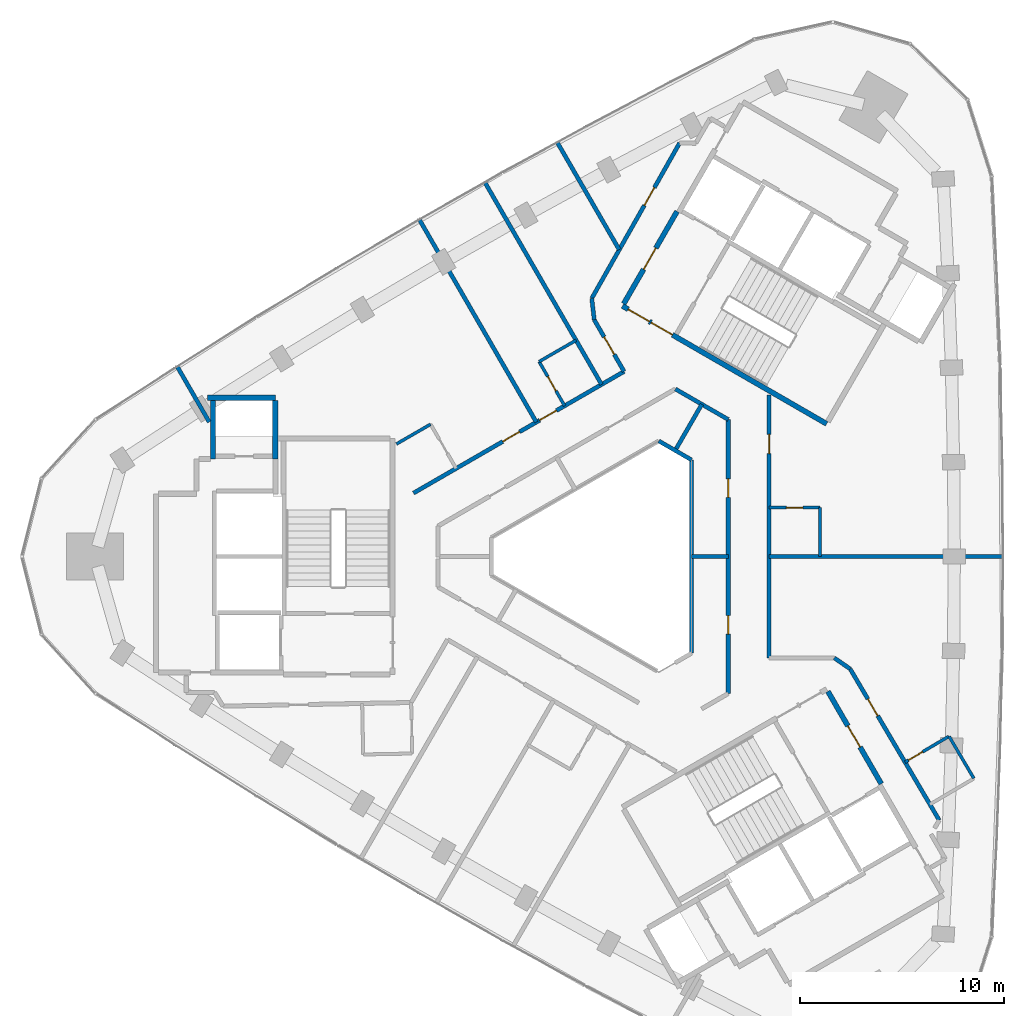
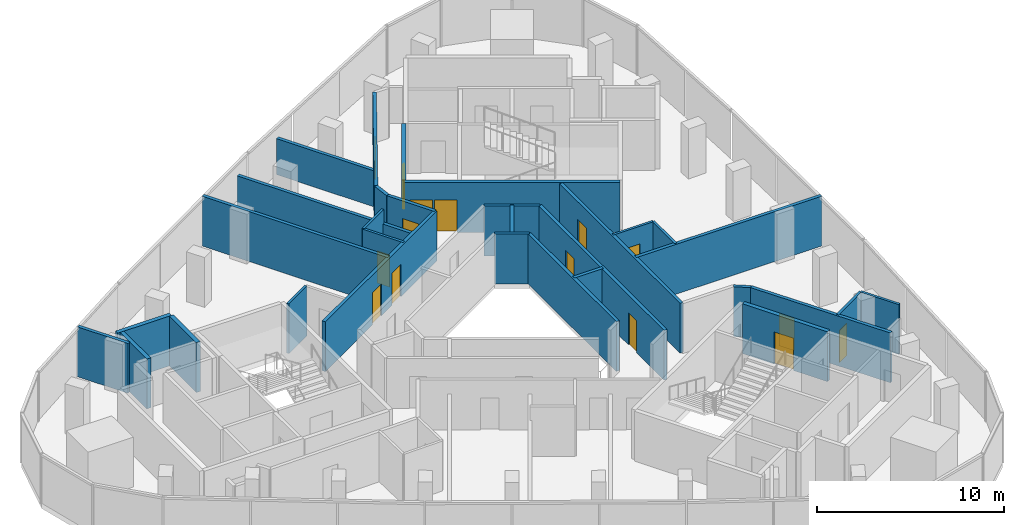
# One storey, part 9 of 11: 31 walls, 15 doors, 15 openings.
"""IFC4 building model written with IfcOpenShell, lengths in metres."""

from ifc_helpers import new_model, si_unit, direction, frame, frame_2d, origin, place, context, subcontext, project, spatial, rectangle, extrude, material, layer, layer_set, type_object, element, fill, save


model = new_model("IFC4")

# Units and contexts
model_context = context("Model", 3, precision=1e-05, world=origin(), true_north=direction((0.0, 1.0)))
body_context = subcontext(model_context, "Body", "Model", "MODEL_VIEW")
ifc_project = project(units=[si_unit("LENGTHUNIT", "METRE"), si_unit("AREAUNIT", "SQUARE_METRE"), si_unit("VOLUMEUNIT", "CUBIC_METRE"), si_unit("PLANEANGLEUNIT", "RADIAN"), si_unit("MASSUNIT", "GRAM", prefix="KILO")], contexts=[model_context])

# Site, building, storey
site_placement = place(None, origin())
site = spatial("IfcSite", under=ifc_project, at=site_placement, CompositionType="ELEMENT")
building_placement = place(site_placement, origin())
building = spatial("IfcBuilding", under=site, at=building_placement, Name="Tamra Quay Hotel Tower", CompositionType="ELEMENT")
storey_placement = place(building_placement, frame((0.0, 0.0, 235.800048828125)))
storey = spatial("IfcBuildingStorey", under=building, at=storey_placement, Name="L59", CompositionType="ELEMENT", Elevation=235.800048828125)

# Walls
ifc_material_1 = material(Name="Concrete M70", Category="concrete")
ifc_layer_1 = layer(ifc_material_1, 0.25)
ifc_layer_set_1 = layer_set([ifc_layer_1], Name="Concrete M70 core wall 250")
wall_type_1 = type_object("IfcWallType", Name="Concrete M70 core wall 250", PredefinedType="SHEAR", material=ifc_layer_set_1)
wall_1_placement = place(storey_placement, frame((-19.900390625, 7.77490234375, 0.0), z_axis=(0.0, 0.0, 1.0), x_axis=(1.0, 0.0, 0.0)))
element("IfcWall", 1, at=wall_1_placement, inside=storey, type_object=wall_type_1, Name="CW1", PredefinedType="SHEAR", context=body_context, shape_type="SweptSolid", body=[
    extrude(rectangle(XDim=3.31298828125, YDim=0.25, at=frame_2d((1.656494140625, 0.0))), origin(), (0.0, 0.0, 1.0), 3.25),
])
for number, where, z_axis, x_axis, name in (
    (2, (-16.58740234375, 7.649658203125, 0.0), (0.0, 0.0, 1.0), (0.0, -1.0, 0.0), "CW1"),
    (3, (-19.63720703125, 4.784912109375, 0.0), (0.0, 0.0, 1.0), (0.0, 1.0, 0.0), "CW1"),
):
    element("IfcWall", number, at=place(storey_placement, frame(where, z_axis=z_axis, x_axis=x_axis)), inside=storey, type_object=wall_type_1, Name=name, PredefinedType="SHEAR", context=body_context, shape_type="SweptSolid", body=[
        extrude(rectangle(XDim=2.86474609375, YDim=0.25, at=frame_2d((1.432373046875, 0.0))), origin(), (0.0, 0.0, 1.0), 3.25),
    ])

# Wall, openings, doors
wall_2_placement = place(storey_placement, frame((10.419921875, 6.497802734375, 0.0), z_axis=(0.0, 0.0, 1.0), x_axis=(-0.866021906294, 0.500006057782, 0.0)))
wall_2 = element("IfcWall", 4, at=wall_2_placement, inside=storey, type_object=wall_type_1, Name="CW1", PredefinedType="SHEAR", context=body_context, shape_type="SweptSolid", body=[
    extrude(rectangle(XDim=11.550048828125, YDim=0.25, at=frame_2d((5.77490234375, 0.0))), origin(), (0.0, 0.0, 1.0), 3.25),
])
opening_1_placement = place(wall_2_placement, frame((10.02490234375, 0.0, 0.0)))
opening_1 = element("IfcOpeningElement", 5, at=opening_1_placement, cuts=wall_2, Name="Opening FD1", PredefinedType="OPENING", context=body_context, shape_type="SweptSolid", body=[
    extrude(rectangle(XDim=1.199951171875, YDim=2.10009765625, at=frame_2d((0.60009765625, 1.050048828125))), frame((0.0, 0.135009765625, 0.0), z_axis=(0.0, -1.0, 0.0), x_axis=(1.0, 0.0, 0.0)), (0.0, 0.0, 1.0), 0.27001953125),
])
opening_2_placement = place(wall_2_placement, frame((8.724853515625, 0.0, 0.0)))
opening_2 = element("IfcOpeningElement", 6, at=opening_2_placement, cuts=wall_2, Name="Opening FD1", PredefinedType="OPENING", context=body_context, shape_type="SweptSolid", body=[
    extrude(rectangle(XDim=1.199951171875, YDim=2.10009765625, at=frame_2d((0.60009765625, 1.050048828125))), frame((0.0, 0.135009765625, 0.0), z_axis=(0.0, -1.0, 0.0), x_axis=(1.0, 0.0, 0.0)), (0.0, 0.0, 1.0), 0.27001953125),
])
ifc_material_2 = material(Name="Core door FD1 1200x2100 LH")
door_type_1 = type_object("IfcDoorType", Name="Core door FD1 1200x2100 LH", OperationType="NOTDEFINED", PredefinedType="DOOR", material=ifc_material_2)
door_1_placement = place(opening_1_placement, origin())
door_1 = element("IfcDoor", 7, at=door_1_placement, inside=storey, type_object=door_type_1, Name="FD1", OperationType="SINGLE_SWING_LEFT", OverallHeight=2.10009765625, OverallWidth=1.199951171875, PredefinedType="DOOR", context=body_context, shape_type="SweptSolid", body=[
    extrude(rectangle(XDim=1.199951171875, YDim=2.10009765625, at=frame_2d((0.60009765625, 1.050048828125))), frame((0.0, 0.02490234375, 0.0), z_axis=(0.0, -1.0, 0.0), x_axis=(1.0, 0.0, 0.0)), (0.0, 0.0, 1.0), 0.050048828125),
])
fill(opening_1, door_1)
ifc_material_3 = material(Name="Core door FD1 1200x2100 RH")
door_type_2 = type_object("IfcDoorType", Name="Core door FD1 1200x2100 RH", OperationType="NOTDEFINED", PredefinedType="DOOR", material=ifc_material_3)
door_2_placement = place(opening_2_placement, origin())
door_2 = element("IfcDoor", 8, at=door_2_placement, inside=storey, type_object=door_type_2, Name="FD1", OperationType="SINGLE_SWING_RIGHT", OverallHeight=2.10009765625, OverallWidth=1.199951171875, PredefinedType="DOOR", context=body_context, shape_type="SweptSolid", body=[
    extrude(rectangle(XDim=1.199951171875, YDim=2.10009765625, at=frame_2d((0.60009765625, 1.050048828125))), frame((0.0, 0.02490234375, 0.0), z_axis=(0.0, -1.0, 0.0), x_axis=(1.0, 0.0, 0.0)), (0.0, 0.0, 1.0), 0.050048828125),
])
fill(opening_2, door_2)

# Wall, opening, door
wall_3_placement = place(storey_placement, frame((0.47998046875, 12.38134765625, 0.0), z_axis=(0.0, 0.0, 1.0), x_axis=(0.49999885962, 0.866026062182, 0.0)))
wall_3 = element("IfcWall", 9, at=wall_3_placement, inside=storey, type_object=wall_type_1, Name="CW1", PredefinedType="SHEAR", context=body_context, shape_type="SweptSolid", body=[
    extrude(rectangle(XDim=5.224609375, YDim=0.25, at=frame_2d((2.6123046875, 0.0))), origin(), (0.0, 0.0, 1.0), 3.25),
])
opening_3_placement = place(wall_3_placement, frame((1.94970703125, 0.0, 0.0)))
opening_3 = element("IfcOpeningElement", 10, at=opening_3_placement, cuts=wall_3, Name="Opening D2", PredefinedType="OPENING", context=body_context, shape_type="SweptSolid", body=[
    extrude(rectangle(XDim=1.199951171875, YDim=2.10009765625, at=frame_2d((0.60009765625, 1.050048828125))), frame((0.0, 0.135009765625, 0.0), z_axis=(0.0, -1.0, 0.0), x_axis=(1.0, 0.0, 0.0)), (0.0, 0.0, 1.0), 0.27001953125),
])
ifc_material_4 = material(Name="Core door D2 1200x2100 RH")
door_type_3 = type_object("IfcDoorType", Name="Core door D2 1200x2100 RH", OperationType="NOTDEFINED", PredefinedType="DOOR", material=ifc_material_4)
door_3_placement = place(opening_3_placement, origin())
door_3 = element("IfcDoor", 11, at=door_3_placement, inside=storey, type_object=door_type_3, Name="D2", OperationType="SINGLE_SWING_RIGHT", OverallHeight=2.10009765625, OverallWidth=1.199951171875, PredefinedType="DOOR", context=body_context, shape_type="SweptSolid", body=[
    extrude(rectangle(XDim=1.199951171875, YDim=2.10009765625, at=frame_2d((0.60009765625, 1.050048828125))), frame((0.0, 0.02490234375, 0.0), z_axis=(0.0, -1.0, 0.0), x_axis=(1.0, 0.0, 0.0)), (0.0, 0.0, 1.0), 0.050048828125),
])
fill(opening_3, door_3)

wall_4_placement = place(storey_placement, frame((10.482666015625, -6.6064453125, 0.0), z_axis=(0.0, 0.0, 1.0), x_axis=(0.49999885962, -0.866026062182, 0.0)))
wall_4 = element("IfcWall", 12, at=wall_4_placement, inside=storey, type_object=wall_type_1, Name="CW1", PredefinedType="SHEAR", context=body_context, shape_type="SweptSolid", body=[
    extrude(rectangle(XDim=5.224609375, YDim=0.25, at=frame_2d((2.6123046875, 0.0))), origin(), (0.0, 0.0, 1.0), 3.25),
])
opening_4_placement = place(wall_4_placement, frame((1.94970703125, 0.0, 0.0)))
opening_4 = element("IfcOpeningElement", 13, at=opening_4_placement, cuts=wall_4, Name="Opening D2", PredefinedType="OPENING", context=body_context, shape_type="SweptSolid", body=[
    extrude(rectangle(XDim=1.199951171875, YDim=2.10009765625, at=frame_2d((0.60009765625, 1.050048828125))), frame((0.0, 0.135009765625, 0.0), z_axis=(0.0, -1.0, 0.0), x_axis=(1.0, 0.0, 0.0)), (0.0, 0.0, 1.0), 0.27001953125),
])
ifc_material_5 = material(Name="Core door D2 1200x2100 LH")
door_type_4 = type_object("IfcDoorType", Name="Core door D2 1200x2100 LH", OperationType="NOTDEFINED", PredefinedType="DOOR", material=ifc_material_5)
door_4_placement = place(opening_4_placement, origin())
door_4 = element("IfcDoor", 14, at=door_4_placement, inside=storey, type_object=door_type_4, Name="D2", OperationType="SINGLE_SWING_LEFT", OverallHeight=2.10009765625, OverallWidth=1.199951171875, PredefinedType="DOOR", context=body_context, shape_type="SweptSolid", body=[
    extrude(rectangle(XDim=1.199951171875, YDim=2.10009765625, at=frame_2d((0.60009765625, 1.050048828125))), frame((0.0, 0.02490234375, 0.0), z_axis=(0.0, -1.0, 0.0), x_axis=(1.0, 0.0, 0.0)), (0.0, 0.0, 1.0), 0.050048828125),
])
fill(opening_4, door_4)

# Wall, openings, doors
ifc_material_6 = material(Name="Partition corridor wall")
ifc_layer_2 = layer(ifc_material_6, 0.199951171875)
ifc_layer_set_2 = layer_set([ifc_layer_2], Name="Partition corridor wall")
wall_type_2 = type_object("IfcWallType", Name="Partition corridor wall", PredefinedType="PARTITIONING", material=ifc_layer_set_2)
wall_5_placement = place(storey_placement, frame((-9.81689453125, 3.10791015625, 0.0), z_axis=(0.0, 0.0, 1.0), x_axis=(0.86603471326, 0.499983875168, 0.0)))
wall_5 = element("IfcWall", 15, at=wall_5_placement, inside=storey, type_object=wall_type_2, Name="W-C", PredefinedType="PARTITIONING", context=body_context, shape_type="SweptSolid", body=[
    extrude(rectangle(XDim=11.91064453125, YDim=0.199951171875, at=frame_2d((5.955322265625, 0.0))), origin(), (0.0, 0.0, 1.0), 3.25),
])
opening_5_placement = place(wall_5_placement, frame((7.13623046875, 0.0, 0.0)))
opening_5 = element("IfcOpeningElement", 16, at=opening_5_placement, cuts=wall_5, Name="Opening L59-D003", PredefinedType="OPENING", context=body_context, shape_type="SweptSolid", body=[
    extrude(rectangle(XDim=0.949951171875, YDim=2.10009765625, at=frame_2d((0.47509765625, 1.050048828125))), frame((0.0, 0.10986328125, 0.0), z_axis=(0.0, -1.0, 0.0), x_axis=(1.0, 0.0, 0.0)), (0.0, 0.0, 1.0), 0.219970703125),
])
opening_6_placement = place(wall_5_placement, frame((5.049072265625, 0.0, 0.0)))
opening_6 = element("IfcOpeningElement", 17, at=opening_6_placement, cuts=wall_5, Name="Opening L59-D005", PredefinedType="OPENING", context=body_context, shape_type="SweptSolid", body=[
    extrude(rectangle(XDim=0.949951171875, YDim=2.10009765625, at=frame_2d((0.47509765625, 1.050048828125))), frame((0.0, 0.10986328125, 0.0), z_axis=(0.0, -1.0, 0.0), x_axis=(1.0, 0.0, 0.0)), (0.0, 0.0, 1.0), 0.219970703125),
])
ifc_material_7 = material(Name="Door guest room 950x2100")
door_type_5 = type_object("IfcDoorType", Name="Door guest room 950x2100", OperationType="NOTDEFINED", PredefinedType="DOOR", material=ifc_material_7)
door_5_placement = place(opening_5_placement, origin())
door_5 = element("IfcDoor", 18, at=door_5_placement, inside=storey, type_object=door_type_5, Name="L59-D003", OperationType="SINGLE_SWING_LEFT", OverallHeight=2.10009765625, OverallWidth=0.949951171875, PredefinedType="DOOR", context=body_context, shape_type="SweptSolid", body=[
    extrude(rectangle(XDim=0.949951171875, YDim=2.10009765625, at=frame_2d((0.47509765625, 1.050048828125))), frame((0.0, 0.02490234375, 0.0), z_axis=(0.0, -1.0, 0.0), x_axis=(1.0, 0.0, 0.0)), (0.0, 0.0, 1.0), 0.050048828125),
])
fill(opening_5, door_5)
door_6_placement = place(opening_6_placement, origin())
door_6 = element("IfcDoor", 19, at=door_6_placement, inside=storey, type_object=door_type_5, Name="L59-D005", OperationType="SINGLE_SWING_LEFT", OverallHeight=2.10009765625, OverallWidth=0.949951171875, PredefinedType="DOOR", context=body_context, shape_type="SweptSolid", body=[
    extrude(rectangle(XDim=0.949951171875, YDim=2.10009765625, at=frame_2d((0.47509765625, 1.050048828125))), frame((0.0, 0.02490234375, 0.0), z_axis=(0.0, -1.0, 0.0), x_axis=(1.0, 0.0, 0.0)), (0.0, 0.0, 1.0), 0.050048828125),
])
fill(opening_6, door_6)

# Wall
wall_6_placement = place(storey_placement, frame((-1.0849609375, 12.64990234375, 0.0), z_axis=(0.0, 0.0, 1.0), x_axis=(0.113812454263, -0.993502252264, 0.0)))
element("IfcWall", 20, at=wall_6_placement, inside=storey, type_object=wall_type_2, Name="W-C", PredefinedType="PARTITIONING", context=body_context, shape_type="SweptSolid", body=[
    extrude(rectangle(XDim=1.061767578125, YDim=0.199951171875, at=frame_2d((0.53076171875, 0.0))), origin(), (0.0, 0.0, 1.0), 3.25),
])

# Wall, opening, door
wall_7_placement = place(storey_placement, frame((-1.084228515625, 12.649658203125, 0.0), z_axis=(0.0, 0.0, 1.0), x_axis=(0.492373019537, 0.87038428848, 0.0)))
wall_7 = element("IfcWall", 21, at=wall_7_placement, inside=storey, type_object=wall_type_2, Name="W-C", PredefinedType="PARTITIONING", context=body_context, shape_type="SweptSolid", body=[
    extrude(rectangle(XDim=8.73779296875, YDim=0.199951171875, at=frame_2d((4.368896484375, 0.0))), origin(), (0.0, 0.0, 1.0), 3.25),
])
opening_7_placement = place(wall_7_placement, frame((5.22998046875, 0.0, 0.0)))
opening_7 = element("IfcOpeningElement", 22, at=opening_7_placement, cuts=wall_7, Name="Opening L59-D001", PredefinedType="OPENING", context=body_context, shape_type="SweptSolid", body=[
    extrude(rectangle(XDim=1.0, YDim=2.10009765625, at=frame_2d((0.5, 1.050048828125))), frame((0.0, 0.10986328125, 0.0), z_axis=(0.0, -1.0, 0.0), x_axis=(1.0, 0.0, 0.0)), (0.0, 0.0, 1.0), 0.219970703125),
])
ifc_material_8 = material(Name="Door guest room 1000x2100")
door_type_6 = type_object("IfcDoorType", Name="Door guest room 1000x2100", OperationType="NOTDEFINED", PredefinedType="DOOR", material=ifc_material_8)
door_7_placement = place(opening_7_placement, origin())
door_7 = element("IfcDoor", 23, at=door_7_placement, inside=storey, type_object=door_type_6, Name="L59-D001", OperationType="SINGLE_SWING_LEFT", OverallHeight=2.10009765625, OverallWidth=1.0, PredefinedType="DOOR", context=body_context, shape_type="SweptSolid", body=[
    extrude(rectangle(XDim=1.0, YDim=2.10009765625, at=frame_2d((0.5, 1.050048828125))), frame((0.0, 0.02490234375, 0.0), z_axis=(0.0, -1.0, 0.0), x_axis=(1.0, 0.0, 0.0)), (0.0, 0.0, 1.0), 0.050048828125),
])
fill(opening_7, door_7)

wall_8_placement = place(storey_placement, frame((-0.964111328125, 11.594970703125, 0.0), z_axis=(0.0, 0.0, 1.0), x_axis=(0.500081432713, -0.865978383481, 0.0)))
wall_8 = element("IfcWall", 24, at=wall_8_placement, inside=storey, type_object=wall_type_2, Name="W-C", PredefinedType="PARTITIONING", context=body_context, shape_type="SweptSolid", body=[
    extrude(rectangle(XDim=2.923828125, YDim=0.199951171875, at=frame_2d((1.4619140625, 0.0))), origin(), (0.0, 0.0, 1.0), 3.25),
])
opening_8_placement = place(wall_8_placement, frame((0.9619140625, 0.0, 0.0)))
opening_8 = element("IfcOpeningElement", 25, at=opening_8_placement, cuts=wall_8, Name="Opening L59-D002", PredefinedType="OPENING", context=body_context, shape_type="SweptSolid", body=[
    extrude(rectangle(XDim=1.0, YDim=2.10009765625, at=frame_2d((0.5, 1.050048828125))), frame((0.0, 0.10986328125, 0.0), z_axis=(0.0, -1.0, 0.0), x_axis=(1.0, 0.0, 0.0)), (0.0, 0.0, 1.0), 0.219970703125),
])
door_8_placement = place(opening_8_placement, origin())
door_8 = element("IfcDoor", 26, at=door_8_placement, inside=storey, type_object=door_type_6, Name="L59-D002", OperationType="SINGLE_SWING_LEFT", OverallHeight=2.10009765625, OverallWidth=1.0, PredefinedType="DOOR", context=body_context, shape_type="SweptSolid", body=[
    extrude(rectangle(XDim=1.0, YDim=2.10009765625, at=frame_2d((0.5, 1.050048828125))), frame((0.0, 0.02490234375, 0.0), z_axis=(0.0, -1.0, 0.0), x_axis=(1.0, 0.0, 0.0)), (0.0, 0.0, 1.0), 0.050048828125),
])
fill(opening_8, door_8)

# Wall
wall_9_placement = place(storey_placement, frame((3.01123046875, 8.203857421875, 0.0), z_axis=(0.0, 0.0, 1.0), x_axis=(0.86628077395, -0.499557424812, 0.0)))
element("IfcWall", 27, at=wall_9_placement, inside=storey, type_object=wall_type_2, Name="W-C", PredefinedType="PARTITIONING", context=body_context, shape_type="SweptSolid", body=[
    extrude(rectangle(XDim=2.988525390625, YDim=0.199951171875, at=frame_2d((1.494140625, 0.0))), origin(), (0.0, 0.0, 1.0), 3.25),
])

# Wall, openings, doors
wall_10_placement = place(storey_placement, frame((5.60009765625, -6.7109375, 0.0), z_axis=(0.0, 0.0, 1.0), x_axis=(0.0, 1.0, 0.0)))
wall_10 = element("IfcWall", 28, at=wall_10_placement, inside=storey, type_object=wall_type_2, Name="W-C", PredefinedType="PARTITIONING", context=body_context, shape_type="SweptSolid", body=[
    extrude(rectangle(XDim=13.421875, YDim=0.199951171875, at=frame_2d((6.7109375, 0.0))), origin(), (0.0, 0.0, 1.0), 3.25),
])
opening_9_placement = place(wall_10_placement, frame((2.91162109375, 0.0, 0.0)))
opening_9 = element("IfcOpeningElement", 29, at=opening_9_placement, cuts=wall_10, Name="Opening L59-D017", PredefinedType="OPENING", context=body_context, shape_type="SweptSolid", body=[
    extrude(rectangle(XDim=0.89990234375, YDim=2.10009765625, at=frame_2d((0.449951171875, 1.050048828125))), frame((0.0, 0.10986328125, 0.0), z_axis=(0.0, -1.0, 0.0), x_axis=(1.0, 0.0, 0.0)), (0.0, 0.0, 1.0), 0.219970703125),
])
opening_10_placement = place(wall_10_placement, frame((9.610595703125, 0.0, 0.0)))
opening_10 = element("IfcOpeningElement", 30, at=opening_10_placement, cuts=wall_10, Name="Opening L59-D018", PredefinedType="OPENING", context=body_context, shape_type="SweptSolid", body=[
    extrude(rectangle(XDim=0.89990234375, YDim=2.10009765625, at=frame_2d((0.449951171875, 1.050048828125))), frame((0.0, 0.10986328125, 0.0), z_axis=(0.0, -1.0, 0.0), x_axis=(1.0, 0.0, 0.0)), (0.0, 0.0, 1.0), 0.219970703125),
])
ifc_material_9 = material(Name="Door service room 900x2100")
door_type_7 = type_object("IfcDoorType", Name="Door service room 900x2100", OperationType="NOTDEFINED", PredefinedType="DOOR", material=ifc_material_9)
door_9_placement = place(opening_9_placement, origin())
door_9 = element("IfcDoor", 31, at=door_9_placement, inside=storey, type_object=door_type_7, Name="L59-D017", OperationType="SINGLE_SWING_LEFT", OverallHeight=2.10009765625, OverallWidth=0.89990234375, PredefinedType="DOOR", context=body_context, shape_type="SweptSolid", body=[
    extrude(rectangle(XDim=0.89990234375, YDim=2.10009765625, at=frame_2d((0.449951171875, 1.050048828125))), frame((0.0, 0.02490234375, 0.0), z_axis=(0.0, -1.0, 0.0), x_axis=(1.0, 0.0, 0.0)), (0.0, 0.0, 1.0), 0.050048828125),
])
fill(opening_9, door_9)
door_10_placement = place(opening_10_placement, origin())
door_10 = element("IfcDoor", 32, at=door_10_placement, inside=storey, type_object=door_type_7, Name="L59-D018", OperationType="SINGLE_SWING_LEFT", OverallHeight=2.10009765625, OverallWidth=0.89990234375, PredefinedType="DOOR", context=body_context, shape_type="SweptSolid", body=[
    extrude(rectangle(XDim=0.89990234375, YDim=2.10009765625, at=frame_2d((0.449951171875, 1.050048828125))), frame((0.0, 0.02490234375, 0.0), z_axis=(0.0, -1.0, 0.0), x_axis=(1.0, 0.0, 0.0)), (0.0, 0.0, 1.0), 0.050048828125),
])
fill(opening_10, door_10)

# Wall, opening, door
wall_11_placement = place(storey_placement, frame((7.60009765625, -4.966064453125, 0.0), z_axis=(0.0, 0.0, 1.0), x_axis=(0.0, 1.0, 0.0)))
wall_11 = element("IfcWall", 33, at=wall_11_placement, inside=storey, type_object=wall_type_2, Name="W-C", PredefinedType="PARTITIONING", context=body_context, shape_type="SweptSolid", body=[
    extrude(rectangle(XDim=12.87841796875, YDim=0.199951171875, at=frame_2d((6.439208984375, 0.0))), origin(), (0.0, 0.0, 1.0), 3.25),
])
opening_11_placement = place(wall_11_placement, frame((10.00390625, 0.0, 0.0)))
opening_11 = element("IfcOpeningElement", 34, at=opening_11_placement, cuts=wall_11, Name="Opening L59-D015", PredefinedType="OPENING", context=body_context, shape_type="SweptSolid", body=[
    extrude(rectangle(XDim=0.949951171875, YDim=2.10009765625, at=frame_2d((0.47509765625, 1.050048828125))), frame((0.0, 0.10986328125, 0.0), z_axis=(0.0, -1.0, 0.0), x_axis=(1.0, 0.0, 0.0)), (0.0, 0.0, 1.0), 0.219970703125),
])
door_11_placement = place(opening_11_placement, frame((0.949951171875, 0.0, 0.0), z_axis=(0.0, 0.0, 1.0), x_axis=(-1.0, 0.0, 0.0)))
door_11 = element("IfcDoor", 35, at=door_11_placement, inside=storey, type_object=door_type_5, Name="L59-D015", OperationType="SINGLE_SWING_LEFT", OverallHeight=2.10009765625, OverallWidth=0.949951171875, PredefinedType="DOOR", context=body_context, shape_type="SweptSolid", body=[
    extrude(rectangle(XDim=0.949951171875, YDim=2.10009765625, at=frame_2d((0.47509765625, 1.050048828125))), frame((0.0, 0.02490234375, 0.0), z_axis=(0.0, -1.0, 0.0), x_axis=(1.0, 0.0, 0.0)), (0.0, 0.0, 1.0), 0.050048828125),
])
fill(opening_11, door_11)

# Wall
wall_12_placement = place(storey_placement, frame((10.7939453125, -4.966064453125, 0.0), z_axis=(0.0, 0.0, 1.0), x_axis=(0.822266583859, -0.569102508401, 0.0)))
element("IfcWall", 36, at=wall_12_placement, inside=storey, type_object=wall_type_2, Name="W-C", PredefinedType="PARTITIONING", context=body_context, shape_type="SweptSolid", body=[
    extrude(rectangle(XDim=0.945068359375, YDim=0.199951171875, at=frame_2d((0.47265625, 0.0))), origin(), (0.0, 0.0, 1.0), 3.25),
])

# Wall, opening, door
wall_13_placement = place(storey_placement, frame((11.571044921875, -5.5048828125, 0.0), z_axis=(0.0, 0.0, 1.0), x_axis=(0.507291838928, -0.861774326699, 0.0)))
wall_13 = element("IfcWall", 37, at=wall_13_placement, inside=storey, type_object=wall_type_2, Name="W-C", PredefinedType="PARTITIONING", context=body_context, shape_type="SweptSolid", body=[
    extrude(rectangle(XDim=8.5986328125, YDim=0.199951171875, at=frame_2d((4.29931640625, 0.0))), origin(), (0.0, 0.0, 1.0), 3.25),
])
opening_12_placement = place(wall_13_placement, frame((1.71240234375, 0.0, 0.0)))
opening_12 = element("IfcOpeningElement", 38, at=opening_12_placement, cuts=wall_13, Name="Opening L59-D013", PredefinedType="OPENING", context=body_context, shape_type="SweptSolid", body=[
    extrude(rectangle(XDim=0.949951171875, YDim=2.10009765625, at=frame_2d((0.47509765625, 1.050048828125))), frame((0.0, 0.10986328125, 0.0), z_axis=(0.0, -1.0, 0.0), x_axis=(1.0, 0.0, 0.0)), (0.0, 0.0, 1.0), 0.219970703125),
])
door_12_placement = place(opening_12_placement, origin())
door_12 = element("IfcDoor", 39, at=door_12_placement, inside=storey, type_object=door_type_5, Name="L59-D013", OperationType="SINGLE_SWING_LEFT", OverallHeight=2.10009765625, OverallWidth=0.949951171875, PredefinedType="DOOR", context=body_context, shape_type="SweptSolid", body=[
    extrude(rectangle(XDim=0.949951171875, YDim=2.10009765625, at=frame_2d((0.47509765625, 1.050048828125))), frame((0.0, 0.02490234375, 0.0), z_axis=(0.0, -1.0, 0.0), x_axis=(1.0, 0.0, 0.0)), (0.0, 0.0, 1.0), 0.050048828125),
])
fill(opening_12, door_12)

# Walls
ifc_material_10 = material(Name="Partition en-suite wall")
ifc_layer_3 = layer(ifc_material_10, 0.14990234375)
ifc_layer_set_3 = layer_set([ifc_layer_3], Name="Partition en-suite wall")
wall_type_3 = type_object("IfcWallType", Name="Partition en-suite wall", PredefinedType="PARTITIONING", material=ifc_layer_set_3)
wall_14_placement = place(storey_placement, frame((-10.65234375, 5.51220703125, 0.0), z_axis=(0.0, 0.0, 1.0), x_axis=(0.866017156151, 0.500014285048, 0.0)))
element("IfcWall", 40, at=wall_14_placement, inside=storey, type_object=wall_type_3, Name="W-E", PredefinedType="PARTITIONING", context=body_context, shape_type="SweptSolid", body=[
    extrude(rectangle(XDim=1.93115234375, YDim=0.14990234375, at=frame_2d((0.965576171875, 0.0))), origin(), (0.0, 0.0, 1.0), 3.25),
])
wall_15_placement = place(storey_placement, frame((-3.6640625, 9.547119140625, 0.0), z_axis=(0.0, 0.0, 1.0), x_axis=(0.866049423672, 0.499958394027, 0.0)))
element("IfcWall", 41, at=wall_15_placement, inside=storey, type_object=wall_type_3, Name="W-E", PredefinedType="PARTITIONING", context=body_context, shape_type="SweptSolid", body=[
    extrude(rectangle(XDim=2.090087890625, YDim=0.14990234375, at=frame_2d((1.044921875, 0.0))), origin(), (0.0, 0.0, 1.0), 3.25),
])

# Wall, opening, door
wall_16_placement = place(storey_placement, frame((-3.6640625, 9.547119140625, 0.0), z_axis=(0.0, 0.0, 1.0), x_axis=(0.500004234368, -0.866022959057, 0.0)))
wall_16 = element("IfcWall", 42, at=wall_16_placement, inside=storey, type_object=wall_type_3, Name="W-E", PredefinedType="PARTITIONING", context=body_context, shape_type="SweptSolid", body=[
    extrude(rectangle(XDim=2.5, YDim=0.14990234375, at=frame_2d((1.25, 0.0))), origin(), (0.0, 0.0, 1.0), 3.25),
])
opening_13_placement = place(wall_16_placement, frame((0.849853515625, 0.0, 0.0)))
opening_13 = element("IfcOpeningElement", 43, at=opening_13_placement, cuts=wall_16, Name="Opening L59-D004", PredefinedType="OPENING", context=body_context, shape_type="SweptSolid", body=[
    extrude(rectangle(XDim=0.800048828125, YDim=2.10009765625, at=frame_2d((0.39990234375, 1.050048828125))), frame((0.0, 0.0849609375, 0.0), z_axis=(0.0, -1.0, 0.0), x_axis=(1.0, 0.0, 0.0)), (0.0, 0.0, 1.0), 0.169921875),
])
ifc_material_11 = material(Name="Door en-suite 800x2100")
door_type_8 = type_object("IfcDoorType", Name="Door en-suite 800x2100", OperationType="NOTDEFINED", PredefinedType="DOOR", material=ifc_material_11)
door_13_placement = place(opening_13_placement, origin())
door_13 = element("IfcDoor", 44, at=door_13_placement, inside=storey, type_object=door_type_8, Name="L59-D004", OperationType="SINGLE_SWING_LEFT", OverallHeight=2.10009765625, OverallWidth=0.800048828125, PredefinedType="DOOR", context=body_context, shape_type="SweptSolid", body=[
    extrude(rectangle(XDim=0.800048828125, YDim=2.10009765625, at=frame_2d((0.39990234375, 1.050048828125))), frame((0.0, 0.02490234375, 0.0), z_axis=(0.0, -1.0, 0.0), x_axis=(1.0, 0.0, 0.0)), (0.0, 0.0, 1.0), 0.050048828125),
])
fill(opening_13, door_13)

wall_17_placement = place(storey_placement, frame((7.60107421875, 2.39990234375, 0.0), z_axis=(0.0, 0.0, 1.0), x_axis=(1.0, 0.0, 0.0)))
wall_17 = element("IfcWall", 45, at=wall_17_placement, inside=storey, type_object=wall_type_3, Name="W-E", PredefinedType="PARTITIONING", context=body_context, shape_type="SweptSolid", body=[
    extrude(rectangle(XDim=2.496826171875, YDim=0.14990234375, at=frame_2d((1.24853515625, 0.0))), origin(), (0.0, 0.0, 1.0), 3.25),
])
opening_14_placement = place(wall_17_placement, frame((0.84912109375, 0.0, 0.0)))
opening_14 = element("IfcOpeningElement", 46, at=opening_14_placement, cuts=wall_17, Name="Opening L59-D016", PredefinedType="OPENING", context=body_context, shape_type="SweptSolid", body=[
    extrude(rectangle(XDim=0.800048828125, YDim=2.10009765625, at=frame_2d((0.39990234375, 1.050048828125))), frame((0.0, 0.0849609375, 0.0), z_axis=(0.0, -1.0, 0.0), x_axis=(1.0, 0.0, 0.0)), (0.0, 0.0, 1.0), 0.169921875),
])
door_14_placement = place(opening_14_placement, origin())
door_14 = element("IfcDoor", 47, at=door_14_placement, inside=storey, type_object=door_type_8, Name="L59-D016", OperationType="SINGLE_SWING_LEFT", OverallHeight=2.10009765625, OverallWidth=0.800048828125, PredefinedType="DOOR", context=body_context, shape_type="SweptSolid", body=[
    extrude(rectangle(XDim=0.800048828125, YDim=2.10009765625, at=frame_2d((0.39990234375, 1.050048828125))), frame((0.0, 0.02490234375, 0.0), z_axis=(0.0, -1.0, 0.0), x_axis=(1.0, 0.0, 0.0)), (0.0, 0.0, 1.0), 0.050048828125),
])
fill(opening_14, door_14)

# Wall
wall_18_placement = place(storey_placement, frame((10.10009765625, 0.0009765625, 0.0), z_axis=(0.0, 0.0, 1.0), x_axis=(0.0, 1.0, 0.0)))
element("IfcWall", 48, at=wall_18_placement, inside=storey, type_object=wall_type_3, Name="W-E", PredefinedType="PARTITIONING", context=body_context, shape_type="SweptSolid", body=[
    extrude(rectangle(XDim=2.39697265625, YDim=0.14990234375, at=frame_2d((1.198486328125, 0.0))), origin(), (0.0, 0.0, 1.0), 3.25),
])

# Wall, opening, door
wall_19_placement = place(storey_placement, frame((14.261962890625, -10.072021484375, 0.0), z_axis=(0.0, 0.0, 1.0), x_axis=(0.861699433364, 0.507419044322, 0.0)))
wall_19 = element("IfcWall", 49, at=wall_19_placement, inside=storey, type_object=wall_type_3, Name="W-E", PredefinedType="PARTITIONING", context=body_context, shape_type="SweptSolid", body=[
    extrude(rectangle(XDim=2.487060546875, YDim=0.14990234375, at=frame_2d((1.24365234375, 0.0))), origin(), (0.0, 0.0, 1.0), 3.25),
])
opening_15_placement = place(wall_19_placement, frame((0.19775390625, 0.0, 0.0)))
opening_15 = element("IfcOpeningElement", 50, at=opening_15_placement, cuts=wall_19, Name="Opening L59-D014", PredefinedType="OPENING", context=body_context, shape_type="SweptSolid", body=[
    extrude(rectangle(XDim=0.800048828125, YDim=2.10009765625, at=frame_2d((0.39990234375, 1.050048828125))), frame((0.0, 0.0849609375, 0.0), z_axis=(0.0, -1.0, 0.0), x_axis=(1.0, 0.0, 0.0)), (0.0, 0.0, 1.0), 0.169921875),
])
door_15_placement = place(opening_15_placement, frame((0.800048828125, 0.0, 0.0), z_axis=(0.0, 0.0, 1.0), x_axis=(-1.0, 0.0, 0.0)))
door_15 = element("IfcDoor", 51, at=door_15_placement, inside=storey, type_object=door_type_8, Name="L59-D014", OperationType="SINGLE_SWING_LEFT", OverallHeight=2.10009765625, OverallWidth=0.800048828125, PredefinedType="DOOR", context=body_context, shape_type="SweptSolid", body=[
    extrude(rectangle(XDim=0.800048828125, YDim=2.10009765625, at=frame_2d((0.39990234375, 1.050048828125))), frame((0.0, 0.02490234375, 0.0), z_axis=(0.0, -1.0, 0.0), x_axis=(1.0, 0.0, 0.0)), (0.0, 0.0, 1.0), 0.050048828125),
])
fill(opening_15, door_15)

# Walls
wall_20_placement = place(storey_placement, frame((16.4189453125, -8.81396484375, 0.0), z_axis=(0.0, 0.0, 1.0), x_axis=(0.507674628474, -0.861548879405, 0.0)))
element("IfcWall", 52, at=wall_20_placement, inside=storey, type_object=wall_type_3, Name="W-E", PredefinedType="PARTITIONING", context=body_context, shape_type="SweptSolid", body=[
    extrude(rectangle(XDim=2.37939453125, YDim=0.14990234375, at=frame_2d((1.189697265625, 0.0))), origin(), (0.0, 0.0, 1.0), 3.25),
])
ifc_material_12 = material(Name="Partition party wall")
ifc_layer_4 = layer(ifc_material_12, 0.199951171875)
ifc_layer_set_4 = layer_set([ifc_layer_4], Name="Partition party wall")
wall_type_4 = type_object("IfcWallType", Name="Partition party wall", PredefinedType="PARTITIONING", material=ifc_layer_set_4)
wall_21_placement = place(storey_placement, frame((-21.38623046875, 9.29833984375, 0.0), z_axis=(0.0, 0.0, 1.0), x_axis=(0.500017489778, -0.866015305821, 0.0)))
element("IfcWall", 53, at=wall_21_placement, inside=storey, type_object=wall_type_4, Name="W-P", PredefinedType="PARTITIONING", context=body_context, shape_type="SweptSolid", body=[
    extrude(rectangle(XDim=3.1279296875, YDim=0.199951171875, at=frame_2d((1.56396484375, 0.0))), origin(), (0.0, 0.0, 1.0), 3.25),
])
wall_22_placement = place(storey_placement, frame((-9.525390625, 16.497802734375, 0.0), z_axis=(0.0, 0.0, 1.0), x_axis=(0.500030684965, -0.866007687087, 0.0)))
element("IfcWall", 54, at=wall_22_placement, inside=storey, type_object=wall_type_4, Name="W-P", PredefinedType="PARTITIONING", context=body_context, shape_type="SweptSolid", body=[
    extrude(rectangle(XDim=11.449951171875, YDim=0.199951171875, at=frame_2d((5.72509765625, 0.0))), origin(), (0.0, 0.0, 1.0), 3.25),
])
wall_23_placement = place(storey_placement, frame((-6.3154296875, 18.319580078125, 0.0), z_axis=(0.0, 0.0, 1.0), x_axis=(0.500012296027, -0.866018304553, 0.0)))
element("IfcWall", 55, at=wall_23_placement, inside=storey, type_object=wall_type_4, Name="W-P", PredefinedType="PARTITIONING", context=body_context, shape_type="SweptSolid", body=[
    extrude(rectangle(XDim=11.423095703125, YDim=0.199951171875, at=frame_2d((5.71142578125, 0.0))), origin(), (0.0, 0.0, 1.0), 2.349853515625),
])
wall_24_placement = place(storey_placement, frame((-2.77099609375, 20.279296875, 0.0), z_axis=(0.0, 0.0, 1.0), x_axis=(0.499939878606, -0.866060112105, 0.0)))
element("IfcWall", 56, at=wall_24_placement, inside=storey, type_object=wall_type_4, Name="W-P", PredefinedType="PARTITIONING", context=body_context, shape_type="SweptSolid", body=[
    extrude(rectangle(XDim=6.058837890625, YDim=0.199951171875, at=frame_2d((3.029296875, 0.0))), origin(), (0.0, 0.0, 1.0), 2.349853515625),
])
wall_25_placement = place(storey_placement, frame((2.2001953125, 5.658447265625, 0.0), z_axis=(0.0, 0.0, 1.0), x_axis=(0.865818011038, -0.500359042851, 0.0)))
element("IfcWall", 57, at=wall_25_placement, inside=storey, type_object=wall_type_4, Name="W-P", PredefinedType="PARTITIONING", context=body_context, shape_type="SweptSolid", body=[
    extrude(rectangle(XDim=1.847900390625, YDim=0.199951171875, at=frame_2d((0.923828125, 0.0))), origin(), (0.0, 0.0, 1.0), 3.25),
])
wall_26_placement = place(storey_placement, frame((3.0, 5.196044921875, 0.0), z_axis=(0.0, 0.0, 1.0), x_axis=(0.500076354988, 0.865981315724, 0.0)))
element("IfcWall", 58, at=wall_26_placement, inside=storey, type_object=wall_type_4, Name="W-P", PredefinedType="PARTITIONING", context=body_context, shape_type="SweptSolid", body=[
    extrude(rectangle(XDim=2.607421875, YDim=0.199951171875, at=frame_2d((1.3037109375, 0.0))), origin(), (0.0, 0.0, 1.0), 3.25),
])
wall_27_placement = place(storey_placement, frame((3.800048828125, -4.73388671875, 0.0), z_axis=(0.0, 0.0, 1.0), x_axis=(0.0, 1.0, 0.0)))
element("IfcWall", 59, at=wall_27_placement, inside=storey, type_object=wall_type_4, Name="W-P", PredefinedType="PARTITIONING", context=body_context, shape_type="SweptSolid", body=[
    extrude(rectangle(XDim=9.4677734375, YDim=0.199951171875, at=frame_2d((4.73388671875, 0.0))), origin(), (0.0, 0.0, 1.0), 3.25),
])
wall_28_placement = place(storey_placement, frame((3.800048828125, 0.0, 0.0), z_axis=(0.0, 0.0, 1.0), x_axis=(1.0, 0.0, 0.0)))
element("IfcWall", 60, at=wall_28_placement, inside=storey, type_object=wall_type_4, Name="W-P", PredefinedType="PARTITIONING", context=body_context, shape_type="SweptSolid", body=[
    extrude(rectangle(XDim=1.800048828125, YDim=0.199951171875, at=frame_2d((0.89990234375, 0.0))), origin(), (0.0, 0.0, 1.0), 3.25),
])
wall_29_placement = place(storey_placement, frame((7.60107421875, 0.0, 0.0), z_axis=(0.0, 0.0, 1.0), x_axis=(1.0, 0.0, 0.0)))
element("IfcWall", 61, at=wall_29_placement, inside=storey, type_object=wall_type_4, Name="W-P", PredefinedType="PARTITIONING", context=body_context, shape_type="SweptSolid", body=[
    extrude(rectangle(XDim=11.448974609375, YDim=0.199951171875, at=frame_2d((5.724609375, 0.0))), origin(), (0.0, 0.0, 1.0), 3.25),
])

save(model, "model.ifc")
